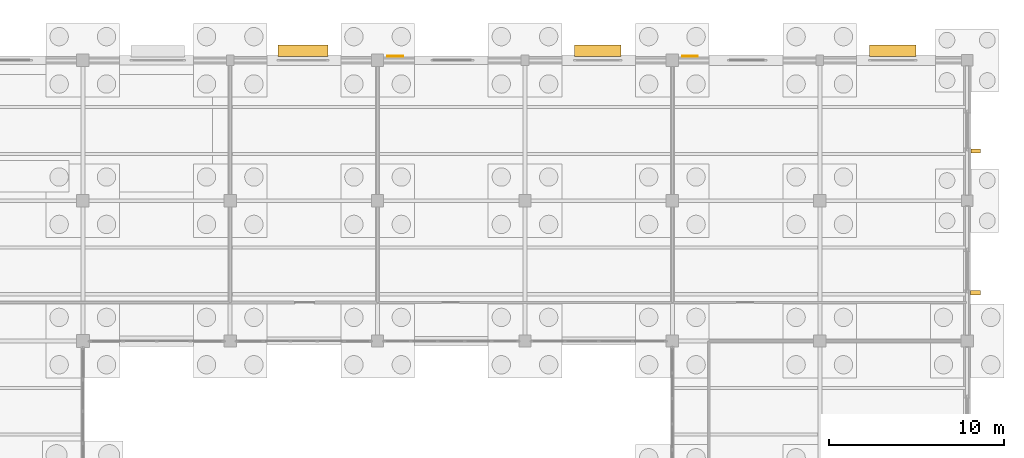
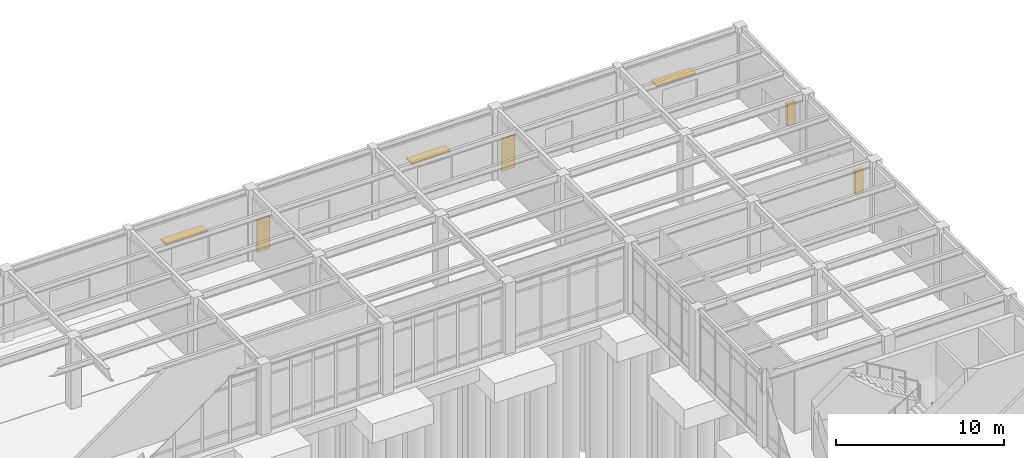
# One storey, part 137 of 138: 5 shading devices, 2 coverings.
"""IFC4 building model written with IfcOpenShell, lengths in metres."""

from ifc_helpers import new_model, si_unit, direction, frame, origin, origin_2d, place, context, subcontext, project, spatial, rectangle, extrude, material, layer, layer_set, type_object, element, save


model = new_model("IFC4")

# Units and contexts
model_context = context("Model", 3, precision=1e-05, world=origin(), true_north=direction((0.0, 1.0)))
body_context = subcontext(model_context, "Body", "Model", "MODEL_VIEW")
ifc_project = project(units=[si_unit("LENGTHUNIT", "METRE"), si_unit("AREAUNIT", "SQUARE_METRE"), si_unit("VOLUMEUNIT", "CUBIC_METRE"), si_unit("PLANEANGLEUNIT", "RADIAN"), si_unit("MASSUNIT", "GRAM", prefix="KILO")], contexts=[model_context])

# Site, building, storey
site_placement = place(None, origin())
site = spatial("IfcSite", under=ifc_project, at=site_placement, CompositionType="ELEMENT")
building_placement = place(site_placement, origin())
building = spatial("IfcBuilding", under=site, at=building_placement, Name="Kranzveld Transit Interchange", CompositionType="ELEMENT")
storey_placement = place(building_placement, origin())
storey = spatial("IfcBuildingStorey", under=building, at=storey_placement, Name="L00", CompositionType="ELEMENT", Elevation=0.0)

# Shading devices
ifc_material_1 = material(Name="Bronze-anodised thermally broken aluminium", Category="aluminium")
shading_device_type_1 = type_object("IfcShadingDeviceType", Name="East-West Deep Clinker Solar Fin", PredefinedType="USERDEFINED", material=ifc_material_1)
for number, where, z_axis, x_axis, name in (
    (1, (168.47998046875, 98.75244140625, 0.824951171875), (0.0, 0.0, 1.0), (0.0, 1.0, 0.0), "L00 Vertical Solar Fin 21/N"),
    (2, (168.4951171875, 106.840087890625, 0.824951171875), (0.0, 0.0, 1.0), (0.0, 1.0, 0.0), "L00 Vertical Solar Fin 21/P"),
):
    element("IfcShadingDevice", number, at=place(storey_placement, frame(where, z_axis=z_axis, x_axis=x_axis)), inside=storey, type_object=shading_device_type_1, Name=name, ObjectType="SOLAR FIN", PredefinedType="USERDEFINED", context=body_context, shape_type="SweptSolid", body=[
        extrude(rectangle(XDim=0.239990234375, YDim=0.550048828125, at=origin_2d()), origin(), (0.0, 0.0, 1.0), 1.64990234375),
    ])
ifc_material_2 = material(Name="Bronze-anodised thermally broken aluminium", Category="aluminium")
shading_device_type_2 = type_object("IfcShadingDeviceType", Name="North Overhang Solar Louvre Brise-Soleil", PredefinedType="JALOUSIE", material=ifc_material_2)
shading_device_placement = place(storey_placement, frame((130.137451171875, 112.544921875, 2.699951171875), z_axis=(0.0, 0.0, 1.0), x_axis=(1.0, 0.0, 0.0)))
element("IfcShadingDevice", 3, at=shading_device_placement, inside=storey, type_object=shading_device_type_2, Name="L00 North Solar Louvre 16/Q", PredefinedType="JALOUSIE", context=body_context, shape_type="SweptSolid", body=[
    extrude(rectangle(XDim=2.85009765625, YDim=0.64990234375, at=origin_2d()), origin(), (0.0, 0.0, 1.0), 0.1201171875),
])
for number, where, z_axis, x_axis, name in (
    (4, (146.9375, 112.544921875, 2.64990234375), (0.0, 0.0, 1.0), (1.0, 0.0, 0.0), "L00 North Solar Louvre 18/Q"),
    (5, (163.75, 112.544921875, 2.39990234375), (0.0, 0.0, 1.0), (1.0, 0.0, 0.0), "L00 North Solar Louvre 20/Q"),
):
    element("IfcShadingDevice", number, at=place(storey_placement, frame(where, z_axis=z_axis, x_axis=x_axis)), inside=storey, type_object=shading_device_type_2, Name=name, PredefinedType="JALOUSIE", context=body_context, shape_type="SweptSolid", body=[
        extrude(rectangle(XDim=2.64990234375, YDim=0.64990234375, at=origin_2d()), origin(), (0.0, 0.0, 1.0), 0.1201171875),
    ])

# Coverings
ifc_material_3 = material(Name="Ochre Pretoria sandstone cladding, 45 MPa", Category="masonry")
ifc_layer = layer(ifc_material_3, 0.044921875)
ifc_layer_set = layer_set([ifc_layer], Name="Ochre Pretoria sandstone cladding, 45 MPa")
covering_type = type_object("IfcCoveringType", Name="Ochre Pretoria Sandstone Pier Cladding 45", PredefinedType="CLADDING", material=ifc_layer_set)
for number, where, z_axis, x_axis, name in (
    (6, (135.39990234375, 112.2275390625, 0.0), (0.0, 0.0, 1.0), (1.0, 0.0, 0.0), "L00 Sandstone Plinth Cladding 06"),
    (7, (152.199951171875, 112.2275390625, 0.0), (0.0, 0.0, 1.0), (1.0, 0.0, 0.0), "L00 Sandstone Plinth Cladding 07"),
):
    element("IfcCovering", number, at=place(storey_placement, frame(where, z_axis=z_axis, x_axis=x_axis)), inside=storey, type_object=covering_type, Name=name, PredefinedType="CLADDING", context=body_context, shape_type="SweptSolid", body=[
        extrude(rectangle(XDim=0.89990234375, YDim=0.044921875, at=origin_2d()), origin(), (0.0, 0.0, 1.0), 2.39990234375),
    ])

save(model, "model.ifc")
